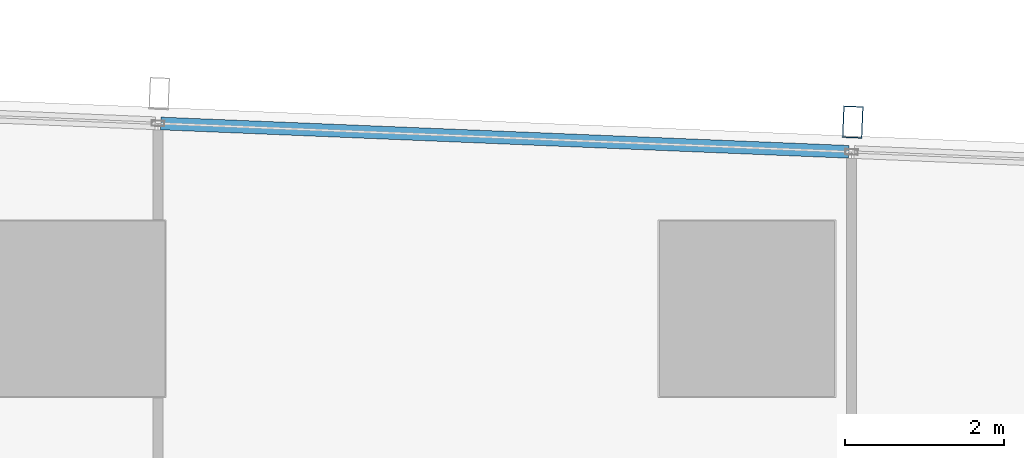
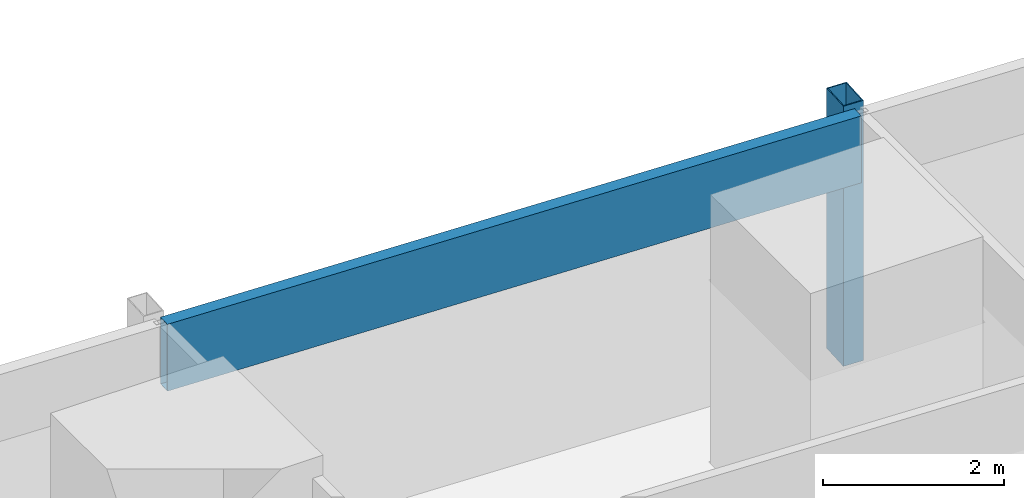
# One storey, part 24 of 44: 2 members, 1 element without a shape of its own.
"""IFC4 building model written with IfcOpenShell, lengths in metres."""

from ifc_helpers import new_model, si_unit, direction, frame, origin, origin_2d, place, context, subcontext, project, spatial, hollow_rectangle, extrude, material, material_profile, profile_set, type_object, element, aggregate, save


model = new_model("IFC4")

# Units and contexts
model_context = context("Model", 3, precision=1e-05, world=origin(), true_north=direction((0.0, 1.0)))
body_context = subcontext(model_context, "Body", "Model", "MODEL_VIEW")
ifc_project = project(units=[si_unit("LENGTHUNIT", "METRE"), si_unit("AREAUNIT", "SQUARE_METRE"), si_unit("VOLUMEUNIT", "CUBIC_METRE"), si_unit("PLANEANGLEUNIT", "RADIAN"), si_unit("MASSUNIT", "GRAM", prefix="KILO")], contexts=[model_context])

# Site, building, storey
site_placement = place(None, origin())
site = spatial("IfcSite", under=ifc_project, at=site_placement, CompositionType="ELEMENT")
building_placement = place(site_placement, origin())
building = spatial("IfcBuilding", under=site, at=building_placement, Name="Rekha Terrace Tower", CompositionType="ELEMENT")
storey_placement = place(building_placement, frame((0.0, 0.0, 74.14990234375)))
storey = spatial("IfcBuildingStorey", under=building, at=storey_placement, Name="L18", CompositionType="ELEMENT", Elevation=74.14990234375)

# Curtain wall, members
ifc_material_1 = material(Name="Aluminium framing", Category="aluminium")
curtain_wall_type = type_object("IfcCurtainWallType", Name="CW3 north unitised glazing", PredefinedType="USERDEFINED", material=ifc_material_1)
curtain_wall_placement = place(storey_placement, origin())
curtain_wall = element("IfcCurtainWall", 1, at=curtain_wall_placement, inside=storey, type_object=curtain_wall_type, Name="CW3 unitised curtain wall", ObjectType="UNITISED CURTAIN WALL", PredefinedType="USERDEFINED")
ifc_material_2 = material(Name="Steel S355 with fluorocarbon finish", Category="steel")
ifc_material_profile_1 = material_profile(ifc_material_2, hollow_rectangle(XDim=0.25, YDim=0.39990234375, WallThickness=0.012451171875, at=origin_2d()), Name="RHS400x250x12.5")
ifc_profile_set_1 = profile_set([ifc_material_profile_1], Name="Steel S355 with fluorocarbon finish")
member_type_1 = type_object("IfcMemberType", Name="BL1 facade blade RHS 400 x 250", PredefinedType="USERDEFINED", material=ifc_profile_set_1)
member_1_placement = place(storey_placement, frame((60.126953125, 61.140869140625, 0.0), z_axis=(0.0, 0.0, 1.0), x_axis=(-0.99915196507, 0.041174636562, 0.0)))
member_1 = element("IfcMember", 2, at=member_1_placement, type_object=member_type_1, Name="Facade blade", ObjectType="FACADE BLADE", PredefinedType="USERDEFINED", context=body_context, shape_type="SweptSolid", body=[
    extrude(hollow_rectangle(XDim=0.25, YDim=0.39990234375, WallThickness=0.012451171875, at=origin_2d()), origin(), (0.0, 0.0, 1.0), 3.5),
])
ifc_material_3 = material(Name="Insulated aluminium spandrel box", Category="aluminium")
ifc_material_profile_2 = material_profile(ifc_material_3, hollow_rectangle(XDim=0.159912109375, YDim=0.89990234375, WallThickness=0.0029296875, at=origin_2d()), Name="AL SPANDREL BOX 160x900")
ifc_profile_set_2 = profile_set([ifc_material_profile_2], Name="Insulated aluminium spandrel box")
member_type_2 = type_object("IfcMemberType", Name="CW3 spandrel transom 160 x 900", PredefinedType="USERDEFINED", material=ifc_profile_set_2)
member_2_placement = place(storey_placement, frame((60.07666015625, 60.767578125, 3.050048828125), z_axis=(-0.999152128669, 0.041170666459, 0.0), x_axis=(-0.041170666459, -0.999152128669, 0.0)))
member_2 = element("IfcMember", 3, at=member_2_placement, type_object=member_type_2, Name="CW3 spandrel transom 2", ObjectType="TRANSOM", PredefinedType="USERDEFINED", context=body_context, shape_type="SweptSolid", body=[
    extrude(hollow_rectangle(XDim=0.159912109375, YDim=0.89990234375, WallThickness=0.0029296875, at=origin_2d()), origin(), (0.0, 0.0, 1.0), 8.634033203125),
])
aggregate(curtain_wall, [member_2, member_1])

save(model, "model.ifc")
